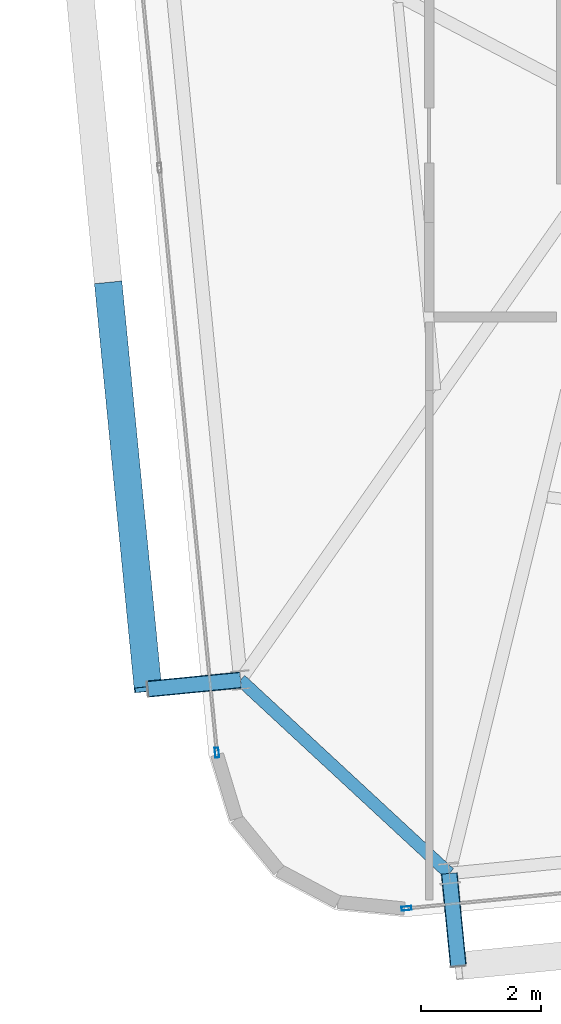
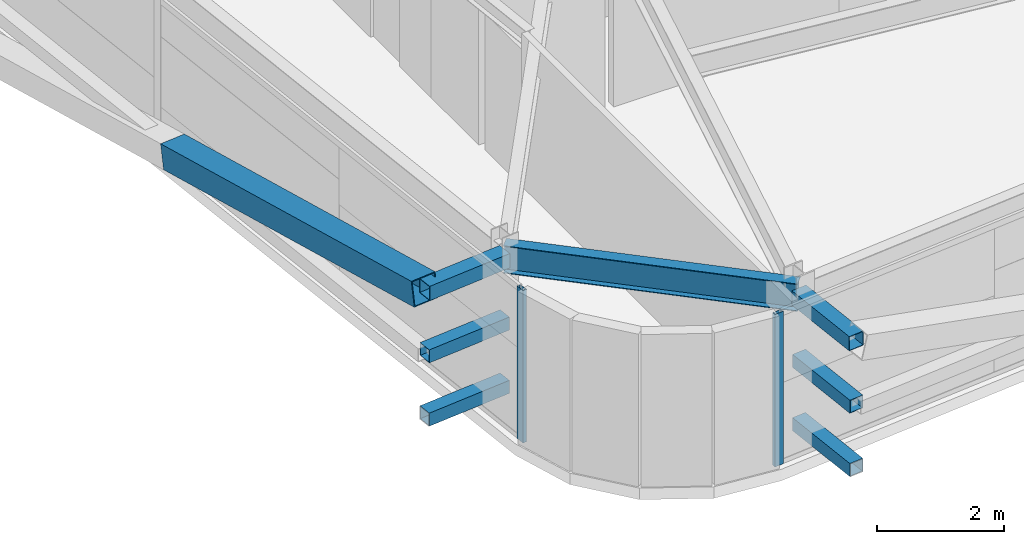
# One storey, part 5 of 47: 9 members, 1 beam, 2 elements without a shape of their own.
"""IFC4 building model written with IfcOpenShell, lengths in metres."""

from ifc_helpers import new_model, si_unit, direction, frame, origin, origin_2d, place, context, subcontext, project, spatial, hollow_rectangle, i_section, extrude, source, transform, mapped, material, layer, layer_set, material_profile, profile_set, type_object, element, aggregate, save


model = new_model("IFC4")

# Units and contexts
model_context = context("Model", 3, precision=1e-05, world=origin(), true_north=direction((0.0, 1.0)))
body_context = subcontext(model_context, "Body", "Model", "MODEL_VIEW")
ifc_project = project(units=[si_unit("LENGTHUNIT", "METRE"), si_unit("AREAUNIT", "SQUARE_METRE"), si_unit("VOLUMEUNIT", "CUBIC_METRE"), si_unit("PLANEANGLEUNIT", "RADIAN"), si_unit("MASSUNIT", "GRAM", prefix="KILO")], contexts=[model_context])

# Site, building, storey
site_placement = place(None, origin())
site = spatial("IfcSite", under=ifc_project, at=site_placement, CompositionType="ELEMENT")
building_placement = place(site_placement, origin())
building = spatial("IfcBuilding", under=site, at=building_placement, Name="Taldren Reach Tower", CompositionType="ELEMENT")
storey_placement = place(building_placement, frame((0.0, 0.0, 90.300048828125)))
storey = spatial("IfcBuildingStorey", under=building, at=storey_placement, Name="L27", CompositionType="ELEMENT", Elevation=90.300048828125)

# Beam
ifc_material_1 = material(Name="Steel Gr 350 (350PLUS)", Category="steel")
ifc_material_profile_1 = material_profile(ifc_material_1, i_section(OverallWidth=0.208984375, OverallDepth=0.528076171875, WebThickness=0.009521484375, FlangeThickness=0.01318359375, at=origin_2d()), Name="530UB82.0")
ifc_profile_set_1 = profile_set([ifc_material_profile_1], Name="Steel Gr 350 (350PLUS)")
beam_type = type_object("IfcBeamType", Name="SP-UB530B", PredefinedType="SPANDREL", material=ifc_profile_set_1)
shared_shape_1 = source(origin(), body_context, "Body", "SweptSolid", [
    extrude(i_section(OverallWidth=0.208984375, OverallDepth=0.528076171875, WebThickness=0.009521484375, FlangeThickness=0.01318359375, at=origin_2d()), origin(), (0.0, 0.0, 1.0), 4.745849609375),
])
beam_placement = place(storey_placement, frame((11.452880859375, 3.145751953125, 2.666015625), z_axis=(0.733524121458, -0.679663419083, 0.0), x_axis=(0.679663419083, 0.733524121458, 0.0)))
element("IfcBeam", 1, at=beam_placement, inside=storey, type_object=beam_type, Name="Perimeter spandrel B2 W1-S1 L27", PredefinedType="SPANDREL", context=body_context, shape_type="MappedRepresentation", body=[
    mapped(shared_shape_1, transform((0.0, 0.0, 0.0), scale=1.0)),
])

# Members
ifc_material_2 = material(Name="Steel Gr 450 (C450L0)", Category="steel")
ifc_material_profile_2 = material_profile(ifc_material_2, hollow_rectangle(XDim=0.27490234375, YDim=0.27490234375, WallThickness=0.00927734375, at=origin_2d()), Name="275x275x9.3SHS")
ifc_profile_set_2 = profile_set([ifc_material_profile_2], Name="Steel Gr 450 (C450L0)")
member_type_1 = type_object("IfcMemberType", Name="MB-TIE273", PredefinedType="STRUT", material=ifc_profile_set_2)
shared_shape_2 = source(origin(), body_context, "Body", "SweptSolid", [
    extrude(hollow_rectangle(XDim=0.27490234375, YDim=0.27490234375, WallThickness=0.00927734375, at=origin_2d()), origin(), (0.0, 0.0, 1.0), 1.550048828125),
])
for number, where, z_axis, x_axis, name in (
    (2, (14.93408203125, -0.079833984375, 2.64990234375), (0.097647892962, -0.9952210252, 0.0), (0.9952210252, 0.097647892962, 0.0), "Exoskeleton diaphragm tie strut B2-S1 L27"),
    (3, (11.452880859375, 3.145751953125, 2.64990234375), (-0.995236318924, -0.097491894511, 0.0), (0.097491894511, -0.995236318924, 0.0), "Exoskeleton diaphragm tie strut B2-W1 L27"),
):
    element("IfcMember", number, at=place(storey_placement, frame(where, z_axis=z_axis, x_axis=x_axis)), inside=storey, type_object=member_type_1, Name=name, PredefinedType="STRUT", context=body_context, shape_type="MappedRepresentation", body=[
        mapped(shared_shape_2, transform((0.0, 0.0, 0.0), scale=1.0)),
    ])
ifc_material_3 = material(Name="Steel Gr 350 (C350L0)", Category="steel")
ifc_material_profile_3 = material_profile(ifc_material_3, hollow_rectangle(XDim=0.25, YDim=0.25, WallThickness=0.010009765625, at=origin_2d()), Name="250x250x10.0SHS")
ifc_profile_set_3 = profile_set([ifc_material_profile_3], Name="Steel Gr 350 (C350L0)")
member_type_2 = type_object("IfcMemberType", Name="MB-POST250", PredefinedType="POST", material=ifc_profile_set_3)
shared_shape_3 = source(origin(), body_context, "Body", "SweptSolid", [
    extrude(hollow_rectangle(XDim=0.25, YDim=0.25, WallThickness=0.010009765625, at=origin_2d()), origin(), (0.0, 0.0, 1.0), 1.550048828125),
])
for number, where, z_axis, x_axis, name in (
    (4, (14.93408203125, -0.079833984375, 0.219970703125), (0.097647892962, -0.9952210252, 0.0), (0.9952210252, 0.097647892962, 0.0), "Exoskeleton base diaphragm tie strut B2-S1 L27"),
    (5, (11.452880859375, 3.145751953125, 0.219970703125), (-0.995236318924, -0.097491894511, 0.0), (0.097491894511, -0.995236318924, 0.0), "Exoskeleton base diaphragm tie strut B2-W1 L27"),
    (6, (14.93408203125, -0.079833984375, 1.43505859375), (0.097647892962, -0.9952210252, 0.0), (0.9952210252, 0.097647892962, 0.0), "Exoskeleton mid-tier diaphragm tie B2-S1 L27"),
    (7, (11.452880859375, 3.145751953125, 1.43505859375), (-0.995236318924, -0.097491894511, 0.0), (0.097491894511, -0.995236318924, 0.0), "Exoskeleton mid-tier diaphragm tie B2-W1 L27"),
):
    element("IfcMember", number, at=place(storey_placement, frame(where, z_axis=z_axis, x_axis=x_axis)), inside=storey, type_object=member_type_2, Name=name, PredefinedType="POST", context=body_context, shape_type="MappedRepresentation", body=[
        mapped(shared_shape_3, transform((0.0, 0.0, 0.0), scale=1.0)),
    ])
ifc_material_profile_4 = material_profile(ifc_material_2, hollow_rectangle(XDim=0.4599609375, YDim=0.4599609375, WallThickness=0.01611328125, at=origin_2d()), Name="460x460x16.0SHS")
ifc_profile_set_4 = profile_set([ifc_material_profile_4], Name="Steel Gr 450 (C450L0)")
member_type_3 = type_object("IfcMemberType", Name="MB-EXO457", PredefinedType="BRACE", material=ifc_profile_set_4)
shared_shape_4 = source(origin(), body_context, "Body", "SweptSolid", [
    extrude(hollow_rectangle(XDim=0.4599609375, YDim=0.4599609375, WallThickness=0.01611328125, at=origin_2d()), origin(), (0.0, 0.0, 1.0), 6.883056640625),
])
member_1_placement = place(storey_placement, frame((9.2490234375, 9.7373046875, 1.43505859375), z_axis=(0.096052059581, -0.979603316657, 0.176497432967), x_axis=(0.995227290009, 0.097584021339, 0.0)))
element("IfcMember", 8, at=member_1_placement, inside=storey, type_object=member_type_3, Name="Exoskeleton Diagrid Brace B2-W1 L27", PredefinedType="BRACE", context=body_context, shape_type="MappedRepresentation", body=[
    mapped(shared_shape_4, transform((0.0, 0.0, 0.0), scale=1.0)),
])

# Curtain wall, member
ifc_material_4 = material(Name="Aluminium and Low-E Glass Unitised System", Category="aluminium")
ifc_layer = layer(ifc_material_4, 0.159912109375)
ifc_layer_set = layer_set([ifc_layer], Name="Aluminium and Low-E Glass Unitised System")
curtain_wall_type = type_object("IfcCurtainWallType", Name="CW-SYS-3", PredefinedType="NOTDEFINED", material=ifc_layer_set)
curtain_wall_1_placement = place(storey_placement, origin())
curtain_wall_1 = element("IfcCurtainWall", 9, at=curtain_wall_1_placement, inside=storey, type_object=curtain_wall_type, Name="Unitised curtain wall CW-L27-S", PredefinedType="NOTDEFINED")
ifc_material_5 = material(Name="Anodised Aluminium 6063-T6", Category="aluminium")
ifc_material_profile_5 = material_profile(ifc_material_5, hollow_rectangle(XDim=0.06494140625, YDim=0.1650390625, WallThickness=0.00390625, at=origin_2d()), Name="ALU-165x65x4RHS")
ifc_profile_set_5 = profile_set([ifc_material_profile_5], Name="Anodised Aluminium 6063-T6")
member_type_4 = type_object("IfcMemberType", Name="CW-MUL-165", PredefinedType="MULLION", material=ifc_profile_set_5)
shared_shape_5 = source(origin(), body_context, "Body", "SweptSolid", [
    extrude(hollow_rectangle(XDim=0.06494140625, YDim=0.1650390625, WallThickness=0.00390625, at=origin_2d()), origin(), (0.0, 0.0, 1.0), 2.929931640625),
])
member_2_placement = place(storey_placement, frame((14.22021484375, -0.662353515625, 0.0), z_axis=(0.0, 0.0, 1.0), x_axis=(-0.097582999046, 0.995227390247, 0.0)))
member_2 = element("IfcMember", 10, at=member_2_placement, type_object=member_type_4, Name="CW-3 mullion 1", PredefinedType="MULLION", context=body_context, shape_type="MappedRepresentation", body=[
    mapped(shared_shape_5, transform((0.0, 0.0, 0.0), scale=1.0)),
])
aggregate(curtain_wall_1, [member_2])

curtain_wall_2_placement = place(storey_placement, origin())
curtain_wall_2 = element("IfcCurtainWall", 11, at=curtain_wall_2_placement, inside=storey, type_object=curtain_wall_type, Name="Unitised curtain wall CW-L27-W", PredefinedType="NOTDEFINED")
member_3_placement = place(storey_placement, frame((11.05908203125, 1.93408203125, 0.0), z_axis=(0.0, 0.0, 1.0), x_axis=(0.99522741555, 0.09758274098, 0.0)))
member_3 = element("IfcMember", 12, at=member_3_placement, type_object=member_type_4, Name="CW-3 mullion 4", PredefinedType="MULLION", context=body_context, shape_type="MappedRepresentation", body=[
    mapped(shared_shape_5, transform((0.0, 0.0, 0.0), scale=1.0)),
])
aggregate(curtain_wall_2, [member_3])

save(model, "model.ifc")
